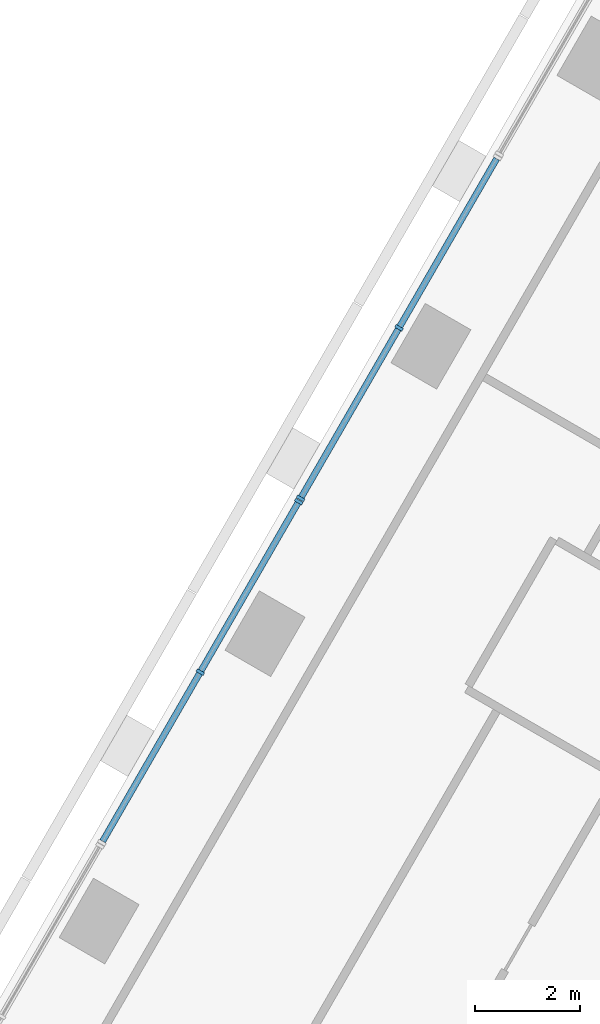
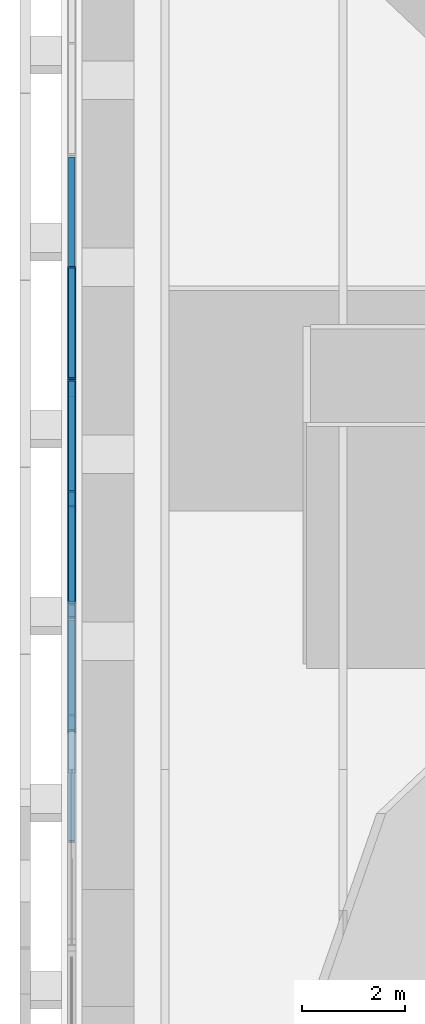
# One storey, part 4 of 18: 12 members, 2 elements without a shape of their own.
"""IFC4 building model written with IfcOpenShell, lengths in metres."""

from ifc_helpers import new_model, si_unit, direction, frame, origin, origin_2d, place, context, subcontext, project, spatial, rectangle, extrude, material, layer, layer_set, material_profile, profile_set, type_object, element, aggregate, save


model = new_model("IFC4")

# Units and contexts
model_context = context("Model", 3, precision=1e-05, world=origin(), true_north=direction((0.0, 1.0)))
body_context = subcontext(model_context, "Body", "Model", "MODEL_VIEW")
ifc_project = project(units=[si_unit("LENGTHUNIT", "METRE"), si_unit("AREAUNIT", "SQUARE_METRE"), si_unit("VOLUMEUNIT", "CUBIC_METRE"), si_unit("PLANEANGLEUNIT", "RADIAN"), si_unit("MASSUNIT", "GRAM", prefix="KILO")], contexts=[model_context])

# Site, building, storey
site_placement = place(None, origin())
site = spatial("IfcSite", under=ifc_project, at=site_placement, CompositionType="ELEMENT")
building_placement = place(site_placement, origin())
building = spatial("IfcBuilding", under=site, at=building_placement, Name="Triada Interchange Tower", CompositionType="ELEMENT")
storey_placement = place(building_placement, frame((0.0, 0.0, 185.300048828125)))
storey = spatial("IfcBuildingStorey", under=building, at=storey_placement, Name="L43", CompositionType="ELEMENT", Elevation=185.300048828125)

# Curtain wall, members
ifc_material_1 = material(Name="Aluminium framed glazing", Category="aluminium")
ifc_layer = layer(ifc_material_1, 0.199951171875)
ifc_layer_set = layer_set([ifc_layer], Name="Curtain wall Sky lobby glazing")
curtain_wall_type = type_object("IfcCurtainWallType", Name="Curtain wall Sky lobby glazing", PredefinedType="NOTDEFINED", material=ifc_layer_set)
curtain_wall_1_placement = place(storey_placement, origin())
curtain_wall_1 = element("IfcCurtainWall", 1, at=curtain_wall_1_placement, inside=storey, type_object=curtain_wall_type, Name="Sky lobby glazing CW104 L43", PredefinedType="NOTDEFINED")
ifc_material_2 = material(Name="Aluminium", Category="aluminium")
ifc_material_profile_1 = material_profile(ifc_material_2, rectangle(XDim=0.159912109375, YDim=0.06005859375, at=origin_2d()), Name="Aluminium mullion")
ifc_profile_set_1 = profile_set([ifc_material_profile_1], Name="Aluminium")
member_type_1 = type_object("IfcMemberType", Name="Mullion Sky lobby glazing 160x60", PredefinedType="MULLION", material=ifc_profile_set_1)
member_1_placement = place(storey_placement, frame((-16.14404296875, 9.320556640625, 0.0), z_axis=(0.0, 0.0, 1.0), x_axis=(0.866046386007, -0.499963655963, 0.0)))
member_1 = element("IfcMember", 2, at=member_1_placement, type_object=member_type_1, Name="CW104 mullion 2", PredefinedType="MULLION", context=body_context, shape_type="SweptSolid", body=[
    extrude(rectangle(XDim=0.159912109375, YDim=0.06005859375, at=origin_2d()), origin(), (0.0, 0.0, 1.0), 5.699951171875),
])
member_2_placement = place(storey_placement, frame((-18.012939453125, 6.0830078125, 0.0), z_axis=(0.0, 0.0, 1.0), x_axis=(0.866046386007, -0.499963655963, 0.0)))
member_2 = element("IfcMember", 3, at=member_2_placement, type_object=member_type_1, Name="CW104 mullion 3", PredefinedType="MULLION", context=body_context, shape_type="SweptSolid", body=[
    extrude(rectangle(XDim=0.159912109375, YDim=0.06005859375, at=origin_2d()), origin(), (0.0, 0.0, 1.0), 5.699951171875),
])

curtain_wall_2_placement = place(storey_placement, origin())
curtain_wall_2 = element("IfcCurtainWall", 4, at=curtain_wall_2_placement, inside=storey, type_object=curtain_wall_type, Name="Sky lobby glazing CW105 L43", PredefinedType="NOTDEFINED")
member_3_placement = place(storey_placement, frame((-18.048095703125, 6.02197265625, 0.0), z_axis=(0.0, 0.0, 1.0), x_axis=(0.866046386007, -0.499963655963, 0.0)))
member_3 = element("IfcMember", 5, at=member_3_placement, type_object=member_type_1, Name="CW105 mullion 1", PredefinedType="MULLION", context=body_context, shape_type="SweptSolid", body=[
    extrude(rectangle(XDim=0.159912109375, YDim=0.06005859375, at=origin_2d()), origin(), (0.0, 0.0, 1.0), 5.699951171875),
])
member_4_placement = place(storey_placement, frame((-19.9169921875, 2.784423828125, 0.0), z_axis=(0.0, 0.0, 1.0), x_axis=(0.866046386007, -0.499963655963, 0.0)))
member_4 = element("IfcMember", 6, at=member_4_placement, type_object=member_type_1, Name="CW105 mullion 2", PredefinedType="MULLION", context=body_context, shape_type="SweptSolid", body=[
    extrude(rectangle(XDim=0.159912109375, YDim=0.06005859375, at=origin_2d()), origin(), (0.0, 0.0, 1.0), 5.699951171875),
])

# Member
ifc_material_profile_2 = material_profile(ifc_material_2, rectangle(XDim=0.1201171875, YDim=0.06005859375, at=origin_2d()), Name="Aluminium transom")
ifc_profile_set_2 = profile_set([ifc_material_profile_2], Name="Aluminium")
member_type_2 = type_object("IfcMemberType", Name="Transom Sky lobby glazing 120x60", PredefinedType="USERDEFINED", material=ifc_profile_set_2)
member_5_placement = place(storey_placement, frame((-14.2900390625, 12.531982421875, 0.030029296875), z_axis=(-0.499936960004, -0.866061796884, 0.0), x_axis=(0.866061796884, -0.499936960004, 0.0)))
member_5 = element("IfcMember", 7, at=member_5_placement, type_object=member_type_2, Name="CW104 transom 1.1", ObjectType="TRANSOM", PredefinedType="USERDEFINED", context=body_context, shape_type="SweptSolid", body=[
    extrude(rectangle(XDim=0.1201171875, YDim=0.06005859375, at=origin_2d()), origin(), (0.0, 0.0, 1.0), 3.67822265625),
])

member_6_placement = place(storey_placement, frame((-14.2900390625, 12.531982421875, 5.669921875), z_axis=(-0.499936960004, -0.866061796884, 0.0), x_axis=(0.866061796884, -0.499936960004, 0.0)))
member_6 = element("IfcMember", 8, at=member_6_placement, type_object=member_type_2, Name="CW104 transom 1.2", ObjectType="TRANSOM", PredefinedType="USERDEFINED", context=body_context, shape_type="SweptSolid", body=[
    extrude(rectangle(XDim=0.1201171875, YDim=0.06005859375, at=origin_2d()), origin(), (0.0, 0.0, 1.0), 3.67822265625),
])

member_7_placement = place(storey_placement, frame((-16.158935546875, 9.29443359375, 0.030029296875), z_axis=(-0.499986743006, -0.866033057578, 0.0), x_axis=(0.866033057578, -0.499986743006, 0.0)))
member_7 = element("IfcMember", 9, at=member_7_placement, type_object=member_type_2, Name="CW104 transom 2.1", ObjectType="TRANSOM", PredefinedType="USERDEFINED", context=body_context, shape_type="SweptSolid", body=[
    extrude(rectangle(XDim=0.1201171875, YDim=0.06005859375, at=origin_2d()), origin(), (0.0, 0.0, 1.0), 3.67822265625),
])

member_8_placement = place(storey_placement, frame((-16.158935546875, 9.29443359375, 5.669921875), z_axis=(-0.499986743006, -0.866033057578, 0.0), x_axis=(0.866033057578, -0.499986743006, 0.0)))
member_8 = element("IfcMember", 10, at=member_8_placement, type_object=member_type_2, Name="CW104 transom 2.2", ObjectType="TRANSOM", PredefinedType="USERDEFINED", context=body_context, shape_type="SweptSolid", body=[
    extrude(rectangle(XDim=0.1201171875, YDim=0.06005859375, at=origin_2d()), origin(), (0.0, 0.0, 1.0), 3.67822265625),
])

aggregate(curtain_wall_1, [member_1, member_2, member_5, member_6, member_7, member_8])

member_9_placement = place(storey_placement, frame((-18.06298828125, 5.99609375, 0.030029296875), z_axis=(-0.499986743006, -0.866033057578, 0.0), x_axis=(0.866033057578, -0.499986743006, 0.0)))
member_9 = element("IfcMember", 11, at=member_9_placement, type_object=member_type_2, Name="CW105 transom 1.1", ObjectType="TRANSOM", PredefinedType="USERDEFINED", context=body_context, shape_type="SweptSolid", body=[
    extrude(rectangle(XDim=0.1201171875, YDim=0.06005859375, at=origin_2d()), origin(), (0.0, 0.0, 1.0), 3.67822265625),
])

member_10_placement = place(storey_placement, frame((-18.06298828125, 5.99609375, 5.669921875), z_axis=(-0.499986743006, -0.866033057578, 0.0), x_axis=(0.866033057578, -0.499986743006, 0.0)))
member_10 = element("IfcMember", 12, at=member_10_placement, type_object=member_type_2, Name="CW105 transom 1.2", ObjectType="TRANSOM", PredefinedType="USERDEFINED", context=body_context, shape_type="SweptSolid", body=[
    extrude(rectangle(XDim=0.1201171875, YDim=0.06005859375, at=origin_2d()), origin(), (0.0, 0.0, 1.0), 3.67822265625),
])

member_11_placement = place(storey_placement, frame((-19.931884765625, 2.758544921875, 0.030029296875), z_axis=(-0.499986743006, -0.866033057578, 0.0), x_axis=(0.866033057578, -0.499986743006, 0.0)))
member_11 = element("IfcMember", 13, at=member_11_placement, type_object=member_type_2, Name="CW105 transom 2.1", ObjectType="TRANSOM", PredefinedType="USERDEFINED", context=body_context, shape_type="SweptSolid", body=[
    extrude(rectangle(XDim=0.1201171875, YDim=0.06005859375, at=origin_2d()), origin(), (0.0, 0.0, 1.0), 3.67822265625),
])

member_12_placement = place(storey_placement, frame((-19.931884765625, 2.758544921875, 5.669921875), z_axis=(-0.499986743006, -0.866033057578, 0.0), x_axis=(0.866033057578, -0.499986743006, 0.0)))
member_12 = element("IfcMember", 14, at=member_12_placement, type_object=member_type_2, Name="CW105 transom 2.2", ObjectType="TRANSOM", PredefinedType="USERDEFINED", context=body_context, shape_type="SweptSolid", body=[
    extrude(rectangle(XDim=0.1201171875, YDim=0.06005859375, at=origin_2d()), origin(), (0.0, 0.0, 1.0), 3.67822265625),
])

aggregate(curtain_wall_2, [member_3, member_4, member_9, member_10, member_11, member_12])

save(model, "model.ifc")
